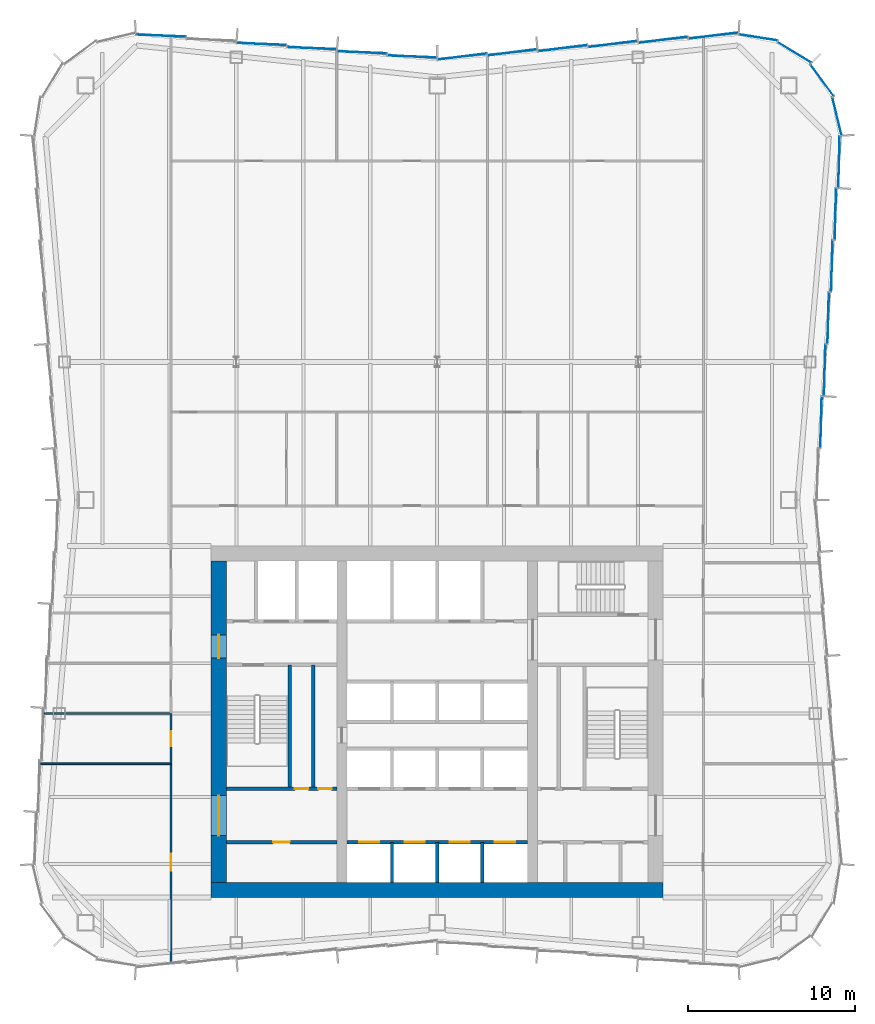
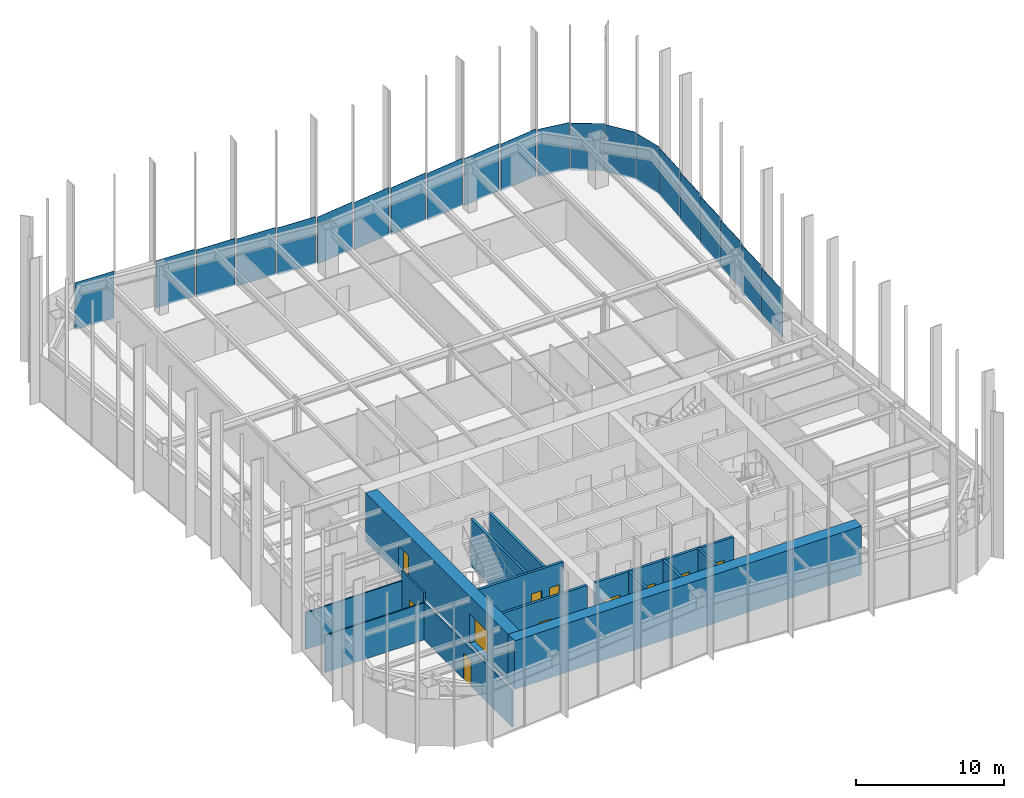
# One storey, part 9 of 13: 21 plates, 14 walls, 11 doors, 11 openings, 3 elements without a shape of their own.
"""IFC4 building model written with IfcOpenShell, lengths in metres."""

from ifc_helpers import new_model, si_unit, direction, frame, frame_2d, origin, origin_2d, place, context, subcontext, project, spatial, rectangle, extrude, material, layer, layer_set, type_object, element, fill, aggregate, save


model = new_model("IFC4")

# Units and contexts
model_context = context("Model", 3, precision=1e-05, world=origin(), true_north=direction((0.0, 1.0)))
body_context = subcontext(model_context, "Body", "Model", "MODEL_VIEW")
ifc_project = project(units=[si_unit("LENGTHUNIT", "METRE"), si_unit("AREAUNIT", "SQUARE_METRE"), si_unit("VOLUMEUNIT", "CUBIC_METRE"), si_unit("PLANEANGLEUNIT", "RADIAN"), si_unit("MASSUNIT", "GRAM", prefix="KILO")], contexts=[model_context])

# Site, building, storey
site_placement = place(None, origin())
site = spatial("IfcSite", under=ifc_project, at=site_placement, CompositionType="ELEMENT")
building_placement = place(site_placement, origin())
building = spatial("IfcBuilding", under=site, at=building_placement, Name="Verdant Reach Tower", CompositionType="ELEMENT")
storey_placement = place(building_placement, frame((0.0, 0.0, 182.0)))
storey = spatial("IfcBuildingStorey", under=building, at=storey_placement, Name="L41", CompositionType="ELEMENT", Elevation=182.0)

# Curtain wall, plate
ifc_material_1 = material(Name="Anodised aluminium", Category="aluminium")
curtain_wall_type = type_object("IfcCurtainWallType", Name="EN-CW SYSTEM Z3", PredefinedType="NOTDEFINED", material=ifc_material_1)
curtain_wall_1_placement = place(storey_placement, origin())
curtain_wall_1 = element("IfcCurtainWall", 1, at=curtain_wall_1_placement, inside=storey, type_object=curtain_wall_type, Name="Curtain wall east, L41", PredefinedType="NOTDEFINED")
ifc_material_2 = material(Name="Tinted glass with champagne spandrel", Category="glass")
ifc_layer_1 = layer(ifc_material_2, 0.031982421875)
ifc_layer_set_1 = layer_set([ifc_layer_1], Name="EN-PANEL CHAMPAGNE")
plate_type_1 = type_object("IfcPlateType", Name="EN-PANEL CHAMPAGNE", PredefinedType="CURTAIN_PANEL", material=ifc_layer_set_1)
plate_1_placement = place(storey_placement, frame((22.93017578125, 45.9033203125, -0.22412109375), z_axis=(0.0, 0.0, 1.0), x_axis=(0.026965318308, 0.999636369691, 0.0)))
plate_1 = element("IfcPlate", 2, at=plate_1_placement, type_object=plate_type_1, Name="Glass panel east face part 2 2.1, L41", PredefinedType="CURTAIN_PANEL", context=body_context, shape_type="SweptSolid", body=[
    extrude(rectangle(XDim=3.052490234375, YDim=0.031982421875, at=origin_2d()), origin(), (0.0, 0.0, 1.0), 3.8740234375),
])

curtain_wall_2_placement = place(storey_placement, origin())
curtain_wall_2 = element("IfcCurtainWall", 3, at=curtain_wall_2_placement, inside=storey, type_object=curtain_wall_type, Name="Curtain wall north-east corner, L41", PredefinedType="NOTDEFINED")
plate_2_placement = place(storey_placement, frame((23.87646484375, 64.17236328125, -0.22412109375), z_axis=(0.0, 0.0, 1.0), x_axis=(-0.23644624331, 0.97164457186, 0.0)))
plate_2 = element("IfcPlate", 4, at=plate_2_placement, type_object=plate_type_1, Name="Glass panel north-east corner 1.1, L41", PredefinedType="CURTAIN_PANEL", context=body_context, shape_type="SweptSolid", body=[
    extrude(rectangle(XDim=2.314697265625, YDim=0.031982421875, at=origin_2d()), origin(), (0.0, 0.0, 1.0), 3.8740234375),
])

# Curtain wall, plates
curtain_wall_3_placement = place(storey_placement, origin())
curtain_wall_3 = element("IfcCurtainWall", 5, at=curtain_wall_3_placement, inside=storey, type_object=curtain_wall_type, Name="Curtain wall north, L41", PredefinedType="NOTDEFINED")
plate_3_placement = place(storey_placement, frame((4.490966796875, 67.983642578125, -0.22412109375), z_axis=(0.0, 0.0, 1.0), x_axis=(-0.992194034542, -0.124703639961, 0.0)))
plate_3 = element("IfcPlate", 6, at=plate_3_placement, type_object=plate_type_1, Name="Glass panel north face part 1 5.1, L41", PredefinedType="CURTAIN_PANEL", context=body_context, shape_type="SweptSolid", body=[
    extrude(rectangle(XDim=2.948486328125, YDim=0.031982421875, at=origin_2d()), origin(), (0.0, 0.0, 1.0), 3.8740234375),
])
plate_4_placement = place(storey_placement, frame((1.495361328125, 67.73388671875, -0.22412109375), z_axis=(0.0, 0.0, 1.0), x_axis=(-0.992178382939, -0.124828107529, 0.0)))
plate_4 = element("IfcPlate", 7, at=plate_4_placement, type_object=plate_type_1, Name="Glass panel north face part 1 6.1, L41", PredefinedType="CURTAIN_PANEL", context=body_context, shape_type="SweptSolid", body=[
    extrude(rectangle(XDim=2.939453125, YDim=0.031982421875, at=origin_2d()), origin(), (0.0, 0.0, 1.0), 3.8740234375),
])
plate_5_placement = place(storey_placement, frame((-1.495361328125, 67.73388671875, -0.22412109375), z_axis=(0.0, 0.0, 1.0), x_axis=(-0.999144020525, 0.041366970501, 0.0)))
plate_5 = element("IfcPlate", 8, at=plate_5_placement, type_object=plate_type_1, Name="Glass panel north face part 2 1.1, L41", PredefinedType="CURTAIN_PANEL", context=body_context, shape_type="SweptSolid", body=[
    extrude(rectangle(XDim=2.939453125, YDim=0.031982421875, at=origin_2d()), origin(), (0.0, 0.0, 1.0), 3.8740234375),
])

# Plate
ifc_material_3 = material(Name="Tinted glass with copper spandrel", Category="glass")
ifc_layer_2 = layer(ifc_material_3, 0.031982421875)
ifc_layer_set_2 = layer_set([ifc_layer_2], Name="EN-PANEL COPPER")
plate_type_2 = type_object("IfcPlateType", Name="EN-PANEL COPPER", PredefinedType="CURTAIN_PANEL", material=ifc_layer_set_2)
plate_6_placement = place(storey_placement, frame((23.14453125, 49.01025390625, -0.22412109375), z_axis=(0.0, 0.0, 1.0), x_axis=(0.026965318308, 0.999636369691, 0.0)))
plate_6 = element("IfcPlate", 9, at=plate_6_placement, type_object=plate_type_2, Name="Glass panel east face part 2 3.1, L41", PredefinedType="CURTAIN_PANEL", context=body_context, shape_type="SweptSolid", body=[
    extrude(rectangle(XDim=3.052490234375, YDim=0.031982421875, at=origin_2d()), origin(), (0.0, 0.0, 1.0), 3.8740234375),
])

plate_7_placement = place(storey_placement, frame((23.358642578125, 52.117431640625, -0.22412109375), z_axis=(0.0, 0.0, 1.0), x_axis=(0.026965318308, 0.999636369691, 0.0)))
plate_7 = element("IfcPlate", 10, at=plate_7_placement, type_object=plate_type_2, Name="Glass panel east face part 2 4.1, L41", PredefinedType="CURTAIN_PANEL", context=body_context, shape_type="SweptSolid", body=[
    extrude(rectangle(XDim=3.052490234375, YDim=0.031982421875, at=origin_2d()), origin(), (0.0, 0.0, 1.0), 3.8740234375),
])

plate_8_placement = place(storey_placement, frame((23.572998046875, 55.224609375, -0.22412109375), z_axis=(0.0, 0.0, 1.0), x_axis=(0.026965318308, 0.999636369691, 0.0)))
plate_8 = element("IfcPlate", 11, at=plate_8_placement, type_object=plate_type_2, Name="Glass panel east face part 2 5.1, L41", PredefinedType="CURTAIN_PANEL", context=body_context, shape_type="SweptSolid", body=[
    extrude(rectangle(XDim=3.052490234375, YDim=0.031982421875, at=origin_2d()), origin(), (0.0, 0.0, 1.0), 3.8740234375),
])

plate_9_placement = place(storey_placement, frame((22.98193359375, 66.328857421875, -0.22412109375), z_axis=(0.0, 0.0, 1.0), x_axis=(-0.589926747542, 0.807456768214, 0.0)))
plate_9 = element("IfcPlate", 12, at=plate_9_placement, type_object=plate_type_2, Name="Glass panel north-east corner 2.1, L41", PredefinedType="CURTAIN_PANEL", context=body_context, shape_type="SweptSolid", body=[
    extrude(rectangle(XDim=2.321533203125, YDim=0.031982421875, at=origin_2d()), origin(), (0.0, 0.0, 1.0), 3.8740234375),
])

plate_10_placement = place(storey_placement, frame((21.328857421875, 67.98193359375, -0.22412109375), z_axis=(0.0, 0.0, 1.0), x_axis=(-0.853988701636, 0.520291550457, 0.0)))
plate_10 = element("IfcPlate", 13, at=plate_10_placement, type_object=plate_type_2, Name="Glass panel north-east corner 3.1, L41", PredefinedType="CURTAIN_PANEL", context=body_context, shape_type="SweptSolid", body=[
    extrude(rectangle(XDim=2.321533203125, YDim=0.031982421875, at=origin_2d()), origin(), (0.0, 0.0, 1.0), 3.8740234375),
])

plate_11_placement = place(storey_placement, frame((16.49853515625, 68.983642578125, -0.22412109375), z_axis=(0.0, 0.0, 1.0), x_axis=(-0.992237766434, -0.124355196363, 0.0)))
plate_11 = element("IfcPlate", 14, at=plate_11_placement, type_object=plate_type_2, Name="Glass panel north face part 1 1.1, L41", PredefinedType="CURTAIN_PANEL", context=body_context, shape_type="SweptSolid", body=[
    extrude(rectangle(XDim=2.963623046875, YDim=0.031982421875, at=origin_2d()), origin(), (0.0, 0.0, 1.0), 3.8740234375),
])

plate_12_placement = place(storey_placement, frame((13.490966796875, 68.733642578125, -0.22412109375), z_axis=(0.0, 0.0, 1.0), x_axis=(-0.992194034542, -0.124703639961, 0.0)))
plate_12 = element("IfcPlate", 15, at=plate_12_placement, type_object=plate_type_2, Name="Glass panel north face part 1 2.1, L41", PredefinedType="CURTAIN_PANEL", context=body_context, shape_type="SweptSolid", body=[
    extrude(rectangle(XDim=2.948486328125, YDim=0.031982421875, at=origin_2d()), origin(), (0.0, 0.0, 1.0), 3.8740234375),
])

plate_13_placement = place(storey_placement, frame((-4.490966796875, 67.983642578125, -0.22412109375), z_axis=(0.0, 0.0, 1.0), x_axis=(-0.999149202059, 0.041241629766, 0.0)))
plate_13 = element("IfcPlate", 16, at=plate_13_placement, type_object=plate_type_2, Name="Glass panel north face part 2 2.1, L41", PredefinedType="CURTAIN_PANEL", context=body_context, shape_type="SweptSolid", body=[
    extrude(rectangle(XDim=2.948486328125, YDim=0.031982421875, at=origin_2d()), origin(), (0.0, 0.0, 1.0), 3.8740234375),
])

plate_14_placement = place(storey_placement, frame((-7.490966796875, 68.233642578125, -0.22412109375), z_axis=(0.0, 0.0, 1.0), x_axis=(-0.999149202059, 0.041241629766, 0.0)))
plate_14 = element("IfcPlate", 17, at=plate_14_placement, type_object=plate_type_2, Name="Glass panel north face part 2 3.1, L41", PredefinedType="CURTAIN_PANEL", context=body_context, shape_type="SweptSolid", body=[
    extrude(rectangle(XDim=2.948486328125, YDim=0.031982421875, at=origin_2d()), origin(), (0.0, 0.0, 1.0), 3.8740234375),
])

ifc_material_4 = material(Name="Tinted glass with dark bronze spandrel", Category="glass")
ifc_layer_3 = layer(ifc_material_4, 0.031982421875)
ifc_layer_set_3 = layer_set([ifc_layer_3], Name="EN-PANEL DARK")
plate_type_3 = type_object("IfcPlateType", Name="EN-PANEL DARK", PredefinedType="CURTAIN_PANEL", material=ifc_layer_set_3)
plate_15_placement = place(storey_placement, frame((23.787353515625, 58.331787109375, -0.22412109375), z_axis=(0.0, 0.0, 1.0), x_axis=(0.026965318308, 0.999636369691, 0.0)))
plate_15 = element("IfcPlate", 18, at=plate_15_placement, type_object=plate_type_3, Name="Glass panel east face part 2 6.1, L41", PredefinedType="CURTAIN_PANEL", context=body_context, shape_type="SweptSolid", body=[
    extrude(rectangle(XDim=3.052490234375, YDim=0.031982421875, at=origin_2d()), origin(), (0.0, 0.0, 1.0), 3.8740234375),
])

plate_16_placement = place(storey_placement, frame((24.001708984375, 61.446044921875, -0.22412109375), z_axis=(0.0, 0.0, 1.0), x_axis=(0.026659626966, 0.999644568979, 0.0)))
plate_16 = element("IfcPlate", 19, at=plate_16_placement, type_object=plate_type_3, Name="Glass panel east face part 2 7.1, L41", PredefinedType="CURTAIN_PANEL", context=body_context, shape_type="SweptSolid", body=[
    extrude(rectangle(XDim=3.06689453125, YDim=0.031982421875, at=origin_2d()), origin(), (0.0, 0.0, 1.0), 3.8740234375),
])

aggregate(curtain_wall_1, [plate_1, plate_6, plate_7, plate_8, plate_15, plate_16])

plate_17_placement = place(storey_placement, frame((19.171875, 68.87646484375, -0.22412109375), z_axis=(0.0, 0.0, 1.0), x_axis=(-0.988029071555, 0.154267798848, 0.0)))
plate_17 = element("IfcPlate", 20, at=plate_17_placement, type_object=plate_type_3, Name="Glass panel north-east corner 4.1, L41", PredefinedType="CURTAIN_PANEL", context=body_context, shape_type="SweptSolid", body=[
    extrude(rectangle(XDim=2.3154296875, YDim=0.031982421875, at=origin_2d()), origin(), (0.0, 0.0, 1.0), 3.8740234375),
])

aggregate(curtain_wall_2, [plate_2, plate_9, plate_10, plate_17])

plate_18_placement = place(storey_placement, frame((10.490966796875, 68.483642578125, -0.22412109375), z_axis=(0.0, 0.0, 1.0), x_axis=(-0.992194034542, -0.124703639961, 0.0)))
plate_18 = element("IfcPlate", 21, at=plate_18_placement, type_object=plate_type_3, Name="Glass panel north face part 1 3.1, L41", PredefinedType="CURTAIN_PANEL", context=body_context, shape_type="SweptSolid", body=[
    extrude(rectangle(XDim=2.948486328125, YDim=0.031982421875, at=origin_2d()), origin(), (0.0, 0.0, 1.0), 3.8740234375),
])

plate_19_placement = place(storey_placement, frame((7.490966796875, 68.233642578125, -0.22412109375), z_axis=(0.0, 0.0, 1.0), x_axis=(-0.992194034542, -0.124703639961, 0.0)))
plate_19 = element("IfcPlate", 22, at=plate_19_placement, type_object=plate_type_3, Name="Glass panel north face part 1 4.1, L41", PredefinedType="CURTAIN_PANEL", context=body_context, shape_type="SweptSolid", body=[
    extrude(rectangle(XDim=2.948486328125, YDim=0.031982421875, at=origin_2d()), origin(), (0.0, 0.0, 1.0), 3.8740234375),
])

plate_20_placement = place(storey_placement, frame((-10.490966796875, 68.483642578125, -0.22412109375), z_axis=(0.0, 0.0, 1.0), x_axis=(-0.999149202059, 0.041241629766, 0.0)))
plate_20 = element("IfcPlate", 23, at=plate_20_placement, type_object=plate_type_3, Name="Glass panel north face part 2 4.1, L41", PredefinedType="CURTAIN_PANEL", context=body_context, shape_type="SweptSolid", body=[
    extrude(rectangle(XDim=2.948486328125, YDim=0.031982421875, at=origin_2d()), origin(), (0.0, 0.0, 1.0), 3.8740234375),
])

plate_21_placement = place(storey_placement, frame((-16.49853515625, 68.983642578125, -0.22412109375), z_axis=(0.0, 0.0, 1.0), x_axis=(-0.999163623568, 0.040890748818, 0.0)))
plate_21 = element("IfcPlate", 24, at=plate_21_placement, type_object=plate_type_3, Name="Glass panel north face part 2 6.1, L41", PredefinedType="CURTAIN_PANEL", context=body_context, shape_type="SweptSolid", body=[
    extrude(rectangle(XDim=2.963623046875, YDim=0.031982421875, at=origin_2d()), origin(), (0.0, 0.0, 1.0), 3.8740234375),
])

aggregate(curtain_wall_3, [plate_11, plate_12, plate_18, plate_19, plate_3, plate_4, plate_5, plate_13, plate_14, plate_20, plate_21])

# Wall, opening, door
ifc_material_5 = material(Name="Gypsum board on steel studs", Category="steel")
ifc_layer_4 = layer(ifc_material_5, 0.199951171875)
ifc_layer_set_4 = layer_set([ifc_layer_4], Name="CO-WALL-ROOM")
wall_type_1 = type_object("IfcWallType", Name="CO-WALL-ROOM", PredefinedType="PARTITIONING", material=ifc_layer_set_4)
wall_1_placement = place(storey_placement, frame((-12.60009765625, 20.800048828125, 0.0), z_axis=(0.0, 0.0, 1.0), x_axis=(1.0, 0.0, 0.0)))
wall_1 = element("IfcWall", 25, at=wall_1_placement, inside=storey, type_object=wall_type_1, Name="Core partition, L41", PredefinedType="PARTITIONING", context=body_context, shape_type="SweptSolid", body=[
    extrude(rectangle(XDim=6.60009765625, YDim=0.199951171875, at=frame_2d((3.300048828125, 0.0))), origin(), (0.0, 0.0, 1.0), 3.8701171875),
])
opening_1_placement = place(wall_1_placement, frame((2.800048828125, 0.0, 0.0)))
opening_1 = element("IfcOpeningElement", 26, at=opening_1_placement, cuts=wall_1, Name="Opening CD", PredefinedType="OPENING", context=body_context, shape_type="SweptSolid", body=[
    extrude(rectangle(XDim=1.0, YDim=2.10009765625, at=frame_2d((0.5, 1.050048828125))), frame((0.0, 0.10986328125, 0.0), z_axis=(0.0, -1.0, 0.0), x_axis=(1.0, 0.0, 0.0)), (0.0, 0.0, 1.0), 0.219970703125),
])
ifc_material_6 = material(Name="Timber", Category="wood")
door_type_1 = type_object("IfcDoorType", Name="CO-DOOR-ROOM", OperationType="NOTDEFINED", PredefinedType="DOOR", material=ifc_material_6)
door_1_placement = place(opening_1_placement, origin())
door_1 = element("IfcDoor", 27, at=door_1_placement, inside=storey, type_object=door_type_1, Name="Core room door, L41", OperationType="SINGLE_SWING_LEFT", OverallHeight=2.10009765625, OverallWidth=1.0, PredefinedType="DOOR", context=body_context, shape_type="SweptSolid", body=[
    extrude(rectangle(XDim=1.0, YDim=2.10009765625, at=frame_2d((0.5, 1.050048828125))), frame((0.0, 0.02490234375, 0.0), z_axis=(0.0, -1.0, 0.0), x_axis=(1.0, 0.0, 0.0)), (0.0, 0.0, 1.0), 0.050048828125),
])
fill(opening_1, door_1)

# Wall
wall_2_placement = place(storey_placement, frame((-7.39990234375, 24.0, 0.0), z_axis=(0.0, 0.0, 1.0), x_axis=(0.0, 1.0, 0.0)))
element("IfcWall", 28, at=wall_2_placement, inside=storey, type_object=wall_type_1, Name="Core partition, L41", PredefinedType="PARTITIONING", context=body_context, shape_type="SweptSolid", body=[
    extrude(rectangle(XDim=7.39990234375, YDim=0.199951171875, at=frame_2d((3.699951171875, 0.0))), origin(), (0.0, 0.0, 1.0), 3.8701171875),
])

# Wall, openings, doors
ifc_material_7 = material(Name="Concrete C40/50", Category="concrete")
ifc_layer_5 = layer(ifc_material_7, 0.199951171875)
ifc_layer_set_5 = layer_set([ifc_layer_5], Name="CO-WALL-SHAFT")
wall_type_2 = type_object("IfcWallType", Name="CO-WALL-SHAFT", PredefinedType="PARTITIONING", material=ifc_layer_set_5)
wall_3_placement = place(storey_placement, frame((-5.39990234375, 20.800048828125, 0.0), z_axis=(0.0, 0.0, 1.0), x_axis=(1.0, 0.0, 0.0)))
wall_3 = element("IfcWall", 29, at=wall_3_placement, inside=storey, type_object=wall_type_2, Name="Lift shaft wall, L41", PredefinedType="PARTITIONING", context=body_context, shape_type="SweptSolid", body=[
    extrude(rectangle(XDim=10.7998046875, YDim=0.199951171875, at=frame_2d((5.39990234375, 0.0))), origin(), (0.0, 0.0, 1.0), 3.8701171875),
])
opening_2_placement = place(wall_3_placement, frame((0.75, 0.0, 0.0)))
opening_2 = element("IfcOpeningElement", 30, at=opening_2_placement, cuts=wall_3, Name="Opening LD-B1", PredefinedType="OPENING", context=body_context, shape_type="SweptSolid", body=[
    extrude(rectangle(XDim=1.199951171875, YDim=2.199951171875, at=frame_2d((0.60009765625, 1.10009765625))), frame((0.0, 0.10986328125, 0.0), z_axis=(0.0, -1.0, 0.0), x_axis=(1.0, 0.0, 0.0)), (0.0, 0.0, 1.0), 0.219970703125),
])
opening_3_placement = place(wall_3_placement, frame((3.449951171875, 0.0, 0.0)))
opening_3 = element("IfcOpeningElement", 31, at=opening_3_placement, cuts=wall_3, Name="Opening LD-B2", PredefinedType="OPENING", context=body_context, shape_type="SweptSolid", body=[
    extrude(rectangle(XDim=1.199951171875, YDim=2.199951171875, at=frame_2d((0.60009765625, 1.10009765625))), frame((0.0, 0.10986328125, 0.0), z_axis=(0.0, -1.0, 0.0), x_axis=(1.0, 0.0, 0.0)), (0.0, 0.0, 1.0), 0.219970703125),
])
opening_4_placement = place(wall_3_placement, frame((6.14990234375, 0.0, 0.0)))
opening_4 = element("IfcOpeningElement", 32, at=opening_4_placement, cuts=wall_3, Name="Opening LD-B3", PredefinedType="OPENING", context=body_context, shape_type="SweptSolid", body=[
    extrude(rectangle(XDim=1.199951171875, YDim=2.199951171875, at=frame_2d((0.60009765625, 1.10009765625))), frame((0.0, 0.10986328125, 0.0), z_axis=(0.0, -1.0, 0.0), x_axis=(1.0, 0.0, 0.0)), (0.0, 0.0, 1.0), 0.219970703125),
])
opening_5_placement = place(wall_3_placement, frame((8.85009765625, 0.0, 0.0)))
opening_5 = element("IfcOpeningElement", 33, at=opening_5_placement, cuts=wall_3, Name="Opening LD-B4", PredefinedType="OPENING", context=body_context, shape_type="SweptSolid", body=[
    extrude(rectangle(XDim=1.199951171875, YDim=2.199951171875, at=frame_2d((0.60009765625, 1.10009765625))), frame((0.0, 0.10986328125, 0.0), z_axis=(0.0, -1.0, 0.0), x_axis=(1.0, 0.0, 0.0)), (0.0, 0.0, 1.0), 0.219970703125),
])
ifc_material_8 = material(Name="Stainless steel", Category="steel")
door_type_2 = type_object("IfcDoorType", Name="CO-DOOR-LANDING", OperationType="SLIDING_TO_LEFT", PredefinedType="DOOR", material=ifc_material_8)
door_2_placement = place(opening_2_placement, origin())
door_2 = element("IfcDoor", 34, at=door_2_placement, inside=storey, type_object=door_type_2, Name="Landing door B1, L41", OperationType="SLIDING_TO_LEFT", OverallHeight=2.199951171875, OverallWidth=1.199951171875, PredefinedType="DOOR", context=body_context, shape_type="SweptSolid", body=[
    extrude(rectangle(XDim=1.199951171875, YDim=2.199951171875, at=frame_2d((0.60009765625, 1.10009765625))), frame((0.0, 0.02490234375, 0.0), z_axis=(0.0, -1.0, 0.0), x_axis=(1.0, 0.0, 0.0)), (0.0, 0.0, 1.0), 0.050048828125),
])
fill(opening_2, door_2)
door_3_placement = place(opening_3_placement, origin())
door_3 = element("IfcDoor", 35, at=door_3_placement, inside=storey, type_object=door_type_2, Name="Landing door B2, L41", OperationType="SLIDING_TO_LEFT", OverallHeight=2.199951171875, OverallWidth=1.199951171875, PredefinedType="DOOR", context=body_context, shape_type="SweptSolid", body=[
    extrude(rectangle(XDim=1.199951171875, YDim=2.199951171875, at=frame_2d((0.60009765625, 1.10009765625))), frame((0.0, 0.02490234375, 0.0), z_axis=(0.0, -1.0, 0.0), x_axis=(1.0, 0.0, 0.0)), (0.0, 0.0, 1.0), 0.050048828125),
])
fill(opening_3, door_3)
door_4_placement = place(opening_4_placement, origin())
door_4 = element("IfcDoor", 36, at=door_4_placement, inside=storey, type_object=door_type_2, Name="Landing door B3, L41", OperationType="SLIDING_TO_LEFT", OverallHeight=2.199951171875, OverallWidth=1.199951171875, PredefinedType="DOOR", context=body_context, shape_type="SweptSolid", body=[
    extrude(rectangle(XDim=1.199951171875, YDim=2.199951171875, at=frame_2d((0.60009765625, 1.10009765625))), frame((0.0, 0.02490234375, 0.0), z_axis=(0.0, -1.0, 0.0), x_axis=(1.0, 0.0, 0.0)), (0.0, 0.0, 1.0), 0.050048828125),
])
fill(opening_4, door_4)
door_5_placement = place(opening_5_placement, origin())
door_5 = element("IfcDoor", 37, at=door_5_placement, inside=storey, type_object=door_type_2, Name="Landing door B4, L41", OperationType="SLIDING_TO_LEFT", OverallHeight=2.199951171875, OverallWidth=1.199951171875, PredefinedType="DOOR", context=body_context, shape_type="SweptSolid", body=[
    extrude(rectangle(XDim=1.199951171875, YDim=2.199951171875, at=frame_2d((0.60009765625, 1.10009765625))), frame((0.0, 0.02490234375, 0.0), z_axis=(0.0, -1.0, 0.0), x_axis=(1.0, 0.0, 0.0)), (0.0, 0.0, 1.0), 0.050048828125),
])
fill(opening_5, door_5)

# Walls
for number, where, z_axis, x_axis, name in (
    (38, (-2.699951171875, 18.39990234375, 0.0), (0.0, 0.0, 1.0), (0.0, 1.0, 0.0), "Lift shaft wall, L41"),
    (39, (0.0, 18.39990234375, 0.0), (0.0, 0.0, 1.0), (0.0, 1.0, 0.0), "Lift shaft wall, L41"),
    (40, (2.699951171875, 18.39990234375, 0.0), (0.0, 0.0, 1.0), (0.0, 1.0, 0.0), "Lift shaft wall, L41"),
):
    element("IfcWall", number, at=place(storey_placement, frame(where, z_axis=z_axis, x_axis=x_axis)), inside=storey, type_object=wall_type_2, Name=name, PredefinedType="PARTITIONING", context=body_context, shape_type="SweptSolid", body=[
        extrude(rectangle(XDim=2.400146484375, YDim=0.199951171875, at=frame_2d((1.2001953125, 0.0))), origin(), (0.0, 0.0, 1.0), 3.8701171875),
    ])

# Wall, openings, doors
ifc_layer_6 = layer(ifc_material_7, 0.199951171875)
ifc_layer_set_6 = layer_set([ifc_layer_6], Name="CO-WALL-STAIR")
wall_type_3 = type_object("IfcWallType", Name="CO-WALL-STAIR", PredefinedType="PARTITIONING", material=ifc_layer_set_6)
wall_4_placement = place(storey_placement, frame((-12.60009765625, 24.0, 0.0), z_axis=(0.0, 0.0, 1.0), x_axis=(1.0, 0.0, 0.0)))
wall_4 = element("IfcWall", 41, at=wall_4_placement, inside=storey, type_object=wall_type_3, Name="Stair enclosure wall, L41", PredefinedType="PARTITIONING", context=body_context, shape_type="SweptSolid", body=[
    extrude(rectangle(XDim=6.60009765625, YDim=0.199951171875, at=frame_2d((3.300048828125, 0.0))), origin(), (0.0, 0.0, 1.0), 3.8701171875),
])
opening_6_placement = place(wall_4_placement, frame((4.10009765625, 0.0, 0.0)))
opening_6 = element("IfcOpeningElement", 42, at=opening_6_placement, cuts=wall_4, Name="Opening CDN", PredefinedType="OPENING", context=body_context, shape_type="SweptSolid", body=[
    extrude(rectangle(XDim=0.800048828125, YDim=2.10009765625, at=frame_2d((0.39990234375, 1.050048828125))), frame((0.0, 0.10986328125, 0.0), z_axis=(0.0, -1.0, 0.0), x_axis=(1.0, 0.0, 0.0)), (0.0, 0.0, 1.0), 0.219970703125),
])
opening_7_placement = place(wall_4_placement, frame((5.5, 0.0, 0.0)))
opening_7 = element("IfcOpeningElement", 43, at=opening_7_placement, cuts=wall_4, Name="Opening CDN", PredefinedType="OPENING", context=body_context, shape_type="SweptSolid", body=[
    extrude(rectangle(XDim=0.800048828125, YDim=2.10009765625, at=frame_2d((0.39990234375, 1.050048828125))), frame((0.0, 0.10986328125, 0.0), z_axis=(0.0, -1.0, 0.0), x_axis=(1.0, 0.0, 0.0)), (0.0, 0.0, 1.0), 0.219970703125),
])
door_type_3 = type_object("IfcDoorType", Name="CO-DOOR-ROOM-NARROW", OperationType="NOTDEFINED", PredefinedType="DOOR", material=ifc_material_6)
door_6_placement = place(opening_6_placement, origin())
door_6 = element("IfcDoor", 44, at=door_6_placement, inside=storey, type_object=door_type_3, Name="Core room door, L41", OperationType="SINGLE_SWING_LEFT", OverallHeight=2.10009765625, OverallWidth=0.800048828125, PredefinedType="DOOR", context=body_context, shape_type="SweptSolid", body=[
    extrude(rectangle(XDim=0.800048828125, YDim=2.10009765625, at=frame_2d((0.39990234375, 1.050048828125))), frame((0.0, 0.02490234375, 0.0), z_axis=(0.0, -1.0, 0.0), x_axis=(1.0, 0.0, 0.0)), (0.0, 0.0, 1.0), 0.050048828125),
])
fill(opening_6, door_6)
door_7_placement = place(opening_7_placement, origin())
door_7 = element("IfcDoor", 45, at=door_7_placement, inside=storey, type_object=door_type_3, Name="Core room door, L41", OperationType="SINGLE_SWING_RIGHT", OverallHeight=2.10009765625, OverallWidth=0.800048828125, PredefinedType="DOOR", context=body_context, shape_type="SweptSolid", body=[
    extrude(rectangle(XDim=0.800048828125, YDim=2.10009765625, at=frame_2d((0.39990234375, 1.050048828125))), frame((0.0, 0.02490234375, 0.0), z_axis=(0.0, -1.0, 0.0), x_axis=(1.0, 0.0, 0.0)), (0.0, 0.0, 1.0), 0.050048828125),
])
fill(opening_7, door_7)

# Walls
wall_5_placement = place(storey_placement, frame((-8.800048828125, 24.0, 0.0), z_axis=(0.0, 0.0, 1.0), x_axis=(0.0, 1.0, 0.0)))
element("IfcWall", 46, at=wall_5_placement, inside=storey, type_object=wall_type_3, Name="Stair enclosure wall, L41", PredefinedType="PARTITIONING", context=body_context, shape_type="SweptSolid", body=[
    extrude(rectangle(XDim=7.39990234375, YDim=0.199951171875, at=frame_2d((3.699951171875, 0.0))), origin(), (0.0, 0.0, 1.0), 3.8701171875),
])
ifc_layer_7 = layer(ifc_material_5, 0.10009765625)
ifc_layer_set_7 = layer_set([ifc_layer_7], Name="FL-W1 Partition 100")
wall_type_4 = type_object("IfcWallType", Name="FL-W1 Partition 100", PredefinedType="PARTITIONING", material=ifc_layer_set_7)
wall_6_placement = place(storey_placement, frame((-15.89990234375, 25.5, 0.0), z_axis=(0.0, 0.0, 1.0), x_axis=(-1.0, 0.0, 0.0)))
element("IfcWall", 47, at=wall_6_placement, inside=storey, type_object=wall_type_4, Name="Partition 41.39", PredefinedType="PARTITIONING", context=body_context, shape_type="SweptSolid", body=[
    extrude(rectangle(XDim=7.766357421875, YDim=0.10009765625, at=frame_2d((3.88330078125, 0.0))), origin(), (0.0, 0.0, 1.0), 3.0400390625),
])
wall_7_placement = place(storey_placement, frame((-15.89990234375, 28.5, 0.0), z_axis=(0.0, 0.0, 1.0), x_axis=(-1.0, 0.0, 0.0)))
element("IfcWall", 48, at=wall_7_placement, inside=storey, type_object=wall_type_4, Name="Partition 41.40", PredefinedType="PARTITIONING", context=body_context, shape_type="SweptSolid", body=[
    extrude(rectangle(XDim=7.559326171875, YDim=0.10009765625, at=frame_2d((3.77978515625, 0.0))), origin(), (0.0, 0.0, 1.0), 3.0400390625),
])

# Wall, opening, door
ifc_material_9 = material(Name="Gypsum board on steel studs, fire rated", Category="steel")
ifc_layer_8 = layer(ifc_material_9, 0.125)
ifc_layer_set_8 = layer_set([ifc_layer_8], Name="FL-W2 Corridor wall 125")
wall_type_5 = type_object("IfcWallType", Name="FL-W2 Corridor wall 125", PredefinedType="PARTITIONING", material=ifc_layer_set_8)
wall_8_placement = place(storey_placement, frame((-15.89990234375, 13.594970703125, 0.0), z_axis=(0.0, 0.0, 1.0), x_axis=(0.0, 1.0, 0.0)))
wall_8 = element("IfcWall", 49, at=wall_8_placement, inside=storey, type_object=wall_type_5, Name="Partition 41.07", PredefinedType="PARTITIONING", context=body_context, shape_type="SweptSolid", body=[
    extrude(rectangle(XDim=11.905029296875, YDim=0.125, at=frame_2d((5.95263671875, 0.0))), origin(), (0.0, 0.0, 1.0), 3.0400390625),
])
opening_8_placement = place(wall_8_placement, frame((5.517578125, 0.0, 0.0)))
opening_8 = element("IfcOpeningElement", 50, at=opening_8_placement, cuts=wall_8, Name="Opening D2", PredefinedType="OPENING", context=body_context, shape_type="SweptSolid", body=[
    extrude(rectangle(XDim=1.0, YDim=2.10009765625, at=frame_2d((0.5, 1.050048828125))), frame((0.0, 0.072509765625, 0.0), z_axis=(0.0, -1.0, 0.0), x_axis=(1.0, 0.0, 0.0)), (0.0, 0.0, 1.0), 0.14501953125),
])
ifc_material_10 = material(Name="Timber door leaf, fire rated", Category="wood")
door_type_4 = type_object("IfcDoorType", Name="FL-D2 Entrance door 1000x2100 FD30", OperationType="NOTDEFINED", PredefinedType="DOOR", material=ifc_material_10)
door_8_placement = place(opening_8_placement, origin())
door_8 = element("IfcDoor", 51, at=door_8_placement, inside=storey, type_object=door_type_4, Name="Door 41-005", OperationType="SINGLE_SWING_RIGHT", OverallHeight=2.10009765625, OverallWidth=1.0, PredefinedType="DOOR", context=body_context, shape_type="SweptSolid", body=[
    extrude(rectangle(XDim=1.0, YDim=2.10009765625, at=frame_2d((0.5, 1.050048828125))), frame((0.0, 0.02490234375, 0.0), z_axis=(0.0, -1.0, 0.0), x_axis=(1.0, 0.0, 0.0)), (0.0, 0.0, 1.0), 0.050048828125),
])
fill(opening_8, door_8)

wall_9_placement = place(storey_placement, frame((-15.89990234375, 25.5, 0.0), z_axis=(0.0, 0.0, 1.0), x_axis=(0.0, 1.0, 0.0)))
wall_9 = element("IfcWall", 52, at=wall_9_placement, inside=storey, type_object=wall_type_5, Name="Partition 41.08", PredefinedType="PARTITIONING", context=body_context, shape_type="SweptSolid", body=[
    extrude(rectangle(XDim=3.0, YDim=0.125, at=frame_2d((1.5, 0.0))), origin(), (0.0, 0.0, 1.0), 3.8701171875),
])
opening_9_placement = place(wall_9_placement, frame((1.050048828125, 0.0, 0.0)))
opening_9 = element("IfcOpeningElement", 53, at=opening_9_placement, cuts=wall_9, Name="Opening D1", PredefinedType="OPENING", context=body_context, shape_type="SweptSolid", body=[
    extrude(rectangle(XDim=0.89990234375, YDim=2.10009765625, at=frame_2d((0.449951171875, 1.050048828125))), frame((0.0, 0.072509765625, 0.0), z_axis=(0.0, -1.0, 0.0), x_axis=(1.0, 0.0, 0.0)), (0.0, 0.0, 1.0), 0.14501953125),
])
ifc_material_11 = material(Name="Painted timber door leaf", Category="wood")
door_type_5 = type_object("IfcDoorType", Name="FL-D1 Door 900x2100", OperationType="NOTDEFINED", PredefinedType="DOOR", material=ifc_material_11)
door_9_placement = place(opening_9_placement, origin())
door_9 = element("IfcDoor", 54, at=door_9_placement, inside=storey, type_object=door_type_5, Name="Door 41-006", OperationType="SINGLE_SWING_RIGHT", OverallHeight=2.10009765625, OverallWidth=0.89990234375, PredefinedType="DOOR", context=body_context, shape_type="SweptSolid", body=[
    extrude(rectangle(XDim=0.89990234375, YDim=2.10009765625, at=frame_2d((0.449951171875, 1.050048828125))), frame((0.0, 0.02490234375, 0.0), z_axis=(0.0, -1.0, 0.0), x_axis=(1.0, 0.0, 0.0)), (0.0, 0.0, 1.0), 0.050048828125),
])
fill(opening_9, door_9)

# Wall
ifc_material_12 = material(Name="Concrete C70/85", Category="concrete")
ifc_layer_9 = layer(ifc_material_12, 0.89990234375)
ifc_layer_set_9 = layer_set([ifc_layer_9], Name="ST-CORE-WALL-900")
wall_type_6 = type_object("IfcWallType", Name="ST-CORE-WALL-900", PredefinedType="SHEAR", material=ifc_layer_set_9)
wall_10_placement = place(storey_placement, frame((-13.5, 17.949951171875, -0.1298828125), z_axis=(0.0, 0.0, 1.0), x_axis=(1.0, 0.0, 0.0)))
element("IfcWall", 55, at=wall_10_placement, inside=storey, type_object=wall_type_6, Name="Core wall S, L41", PredefinedType="SHEAR", context=body_context, shape_type="SweptSolid", body=[
    extrude(rectangle(XDim=27.0, YDim=0.89990234375, at=frame_2d((13.5, 0.0))), origin(), (0.0, 0.0, 1.0), 4.0),
])

# Wall, openings, doors
wall_11_placement = place(storey_placement, frame((-13.050048828125, 18.39990234375, -0.1298828125), z_axis=(0.0, 0.0, 1.0), x_axis=(0.0, 1.0, 0.0)))
wall_11 = element("IfcWall", 56, at=wall_11_placement, inside=storey, type_object=wall_type_6, Name="Core wall W, L41", PredefinedType="SHEAR", context=body_context, shape_type="SweptSolid", body=[
    extrude(rectangle(XDim=19.2001953125, YDim=0.89990234375, at=frame_2d((9.60009765625, 0.0))), origin(), (0.0, 0.0, 1.0), 4.0),
])
opening_10_placement = place(wall_11_placement, frame((2.800048828125, 0.0, 0.1298828125)))
opening_10 = element("IfcOpeningElement", 57, at=opening_10_placement, cuts=wall_11, Name="Opening LB", PredefinedType="OPENING", context=body_context, shape_type="SweptSolid", body=[
    extrude(rectangle(XDim=2.39990234375, YDim=2.39990234375, at=frame_2d((1.199951171875, 1.199951171875))), frame((0.0, 0.4599609375, 0.0), z_axis=(0.0, -1.0, 0.0), x_axis=(1.0, 0.0, 0.0)), (0.0, 0.0, 1.0), 0.919921875),
])
opening_11_placement = place(wall_11_placement, frame((13.39990234375, 0.0, 0.1298828125)))
opening_11 = element("IfcOpeningElement", 58, at=opening_11_placement, cuts=wall_11, Name="Opening FL", PredefinedType="OPENING", context=body_context, shape_type="SweptSolid", body=[
    extrude(rectangle(XDim=1.39990234375, YDim=2.199951171875, at=frame_2d((0.699951171875, 1.10009765625))), frame((0.0, 0.4599609375, 0.0), z_axis=(0.0, -1.0, 0.0), x_axis=(1.0, 0.0, 0.0)), (0.0, 0.0, 1.0), 0.919921875),
])
ifc_material_13 = material(Name="Steel", Category="steel")
door_type_6 = type_object("IfcDoorType", Name="CO-DOOR-FFL", OperationType="NOTDEFINED", PredefinedType="DOOR", material=ifc_material_13)
door_10_placement = place(opening_11_placement, origin())
door_10 = element("IfcDoor", 59, at=door_10_placement, inside=storey, type_object=door_type_6, Name="Core entrance door, L41", OperationType="SINGLE_SWING_RIGHT", OverallHeight=2.199951171875, OverallWidth=1.39990234375, PredefinedType="DOOR", context=body_context, shape_type="SweptSolid", body=[
    extrude(rectangle(XDim=1.39990234375, YDim=2.199951171875, at=frame_2d((0.699951171875, 1.10009765625))), frame((0.0, 0.02490234375, 0.0), z_axis=(0.0, -1.0, 0.0), x_axis=(1.0, 0.0, 0.0)), (0.0, 0.0, 1.0), 0.050048828125),
])
fill(opening_11, door_10)
ifc_material_14 = material(Name="Glass and steel", Category="steel")
door_type_7 = type_object("IfcDoorType", Name="CO-DOOR-LOBBY", OperationType="DOUBLE_DOOR_SINGLE_SWING", PredefinedType="DOOR", material=ifc_material_14)
door_11_placement = place(opening_10_placement, origin())
door_11 = element("IfcDoor", 60, at=door_11_placement, inside=storey, type_object=door_type_7, Name="Core entrance door, L41", OperationType="DOUBLE_DOOR_SINGLE_SWING", OverallHeight=2.39990234375, OverallWidth=2.39990234375, PredefinedType="DOOR", context=body_context, shape_type="SweptSolid", body=[
    extrude(rectangle(XDim=2.39990234375, YDim=2.39990234375, at=frame_2d((1.199951171875, 1.199951171875))), frame((0.0, 0.02490234375, 0.0), z_axis=(0.0, -1.0, 0.0), x_axis=(1.0, 0.0, 0.0)), (0.0, 0.0, 1.0), 0.050048828125),
])
fill(opening_10, door_11)

save(model, "model.ifc")
